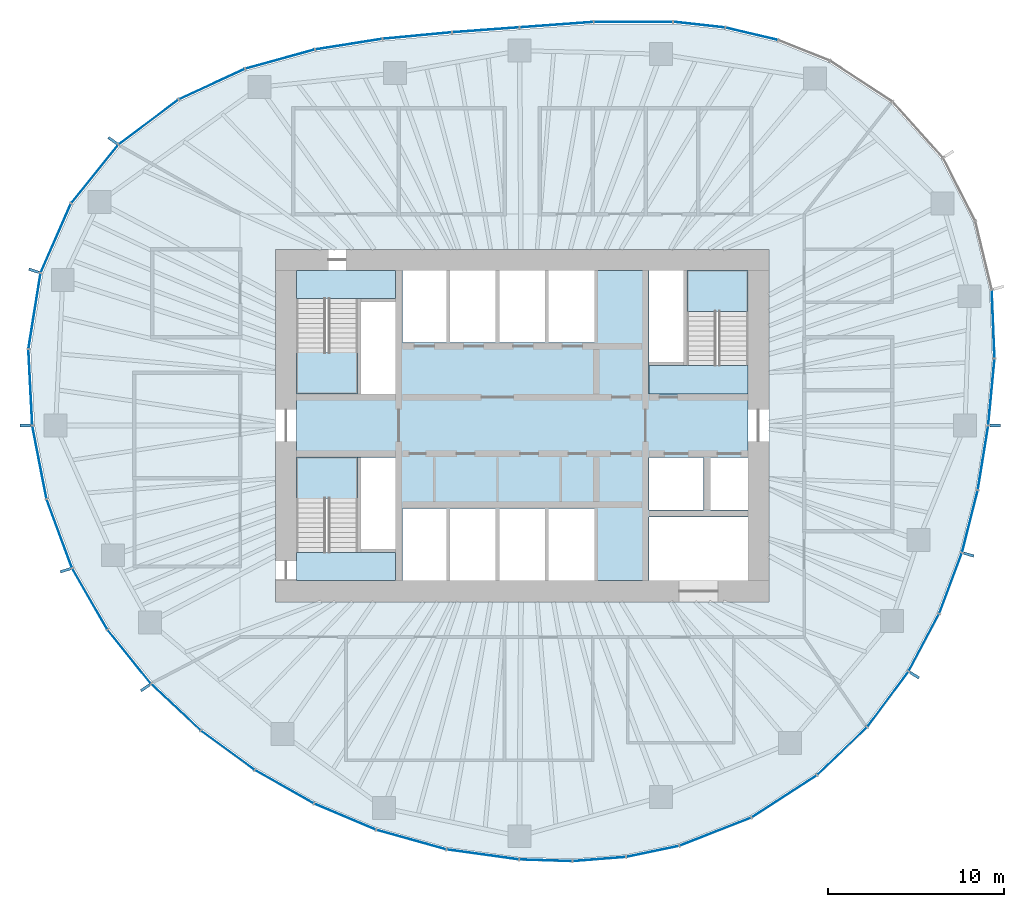
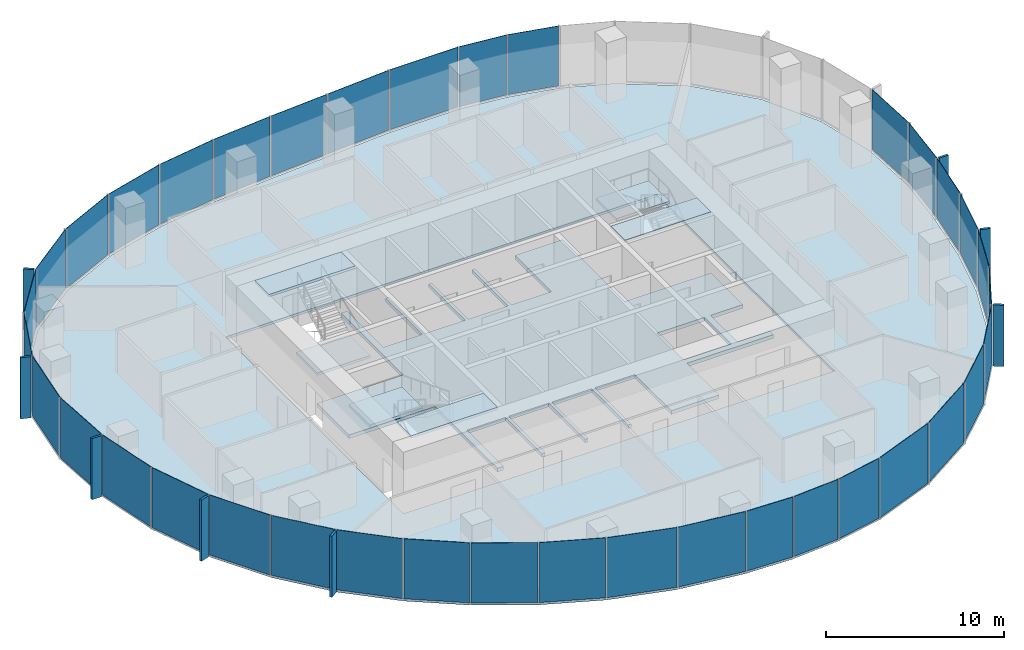
# One storey, part 7 of 11: 45 plates, 8 slabs, 21 elements without a shape of their own.
"""IFC4 building model written with IfcOpenShell, lengths in metres."""

import ifcopenshell
import ifcopenshell.guid

model = None  # the IFC model being written
_history = None  # IfcOwnerHistory: only IFC2X3 demands one
_inside = {}  # id of a spatial element -> (the spatial element, [elements in it])
_under = {}  # id of a project, library or spatial element -> (it, [spatial elements below it])
_declared = {}  # id of a project -> (the project, [libraries it declares])
_typed = {}  # id of a type object -> (the type object, [elements of that type])
_made_of = {}  # id of a material, layer set ... -> (it, [elements and type objects made of it])


def new_model(schema):
    """Start an empty IFC model of exactly this schema.

    Asked for "IFC4X3", IfcOpenShell would pick the latest addendum, in which some entities
    have other attributes; the version numbers below select the first issue.
    IFC2X3 requires an IfcOwnerHistory on every rooted entity: one is made here for all.
    """
    global model, _history
    if schema == "IFC4X3":
        model = ifcopenshell.file(schema_version=(4, 3, 0, 0))
    else:
        model = ifcopenshell.file(schema=schema)
    _inside.clear()
    _under.clear()
    _declared.clear()
    _typed.clear()
    _made_of.clear()
    _history = None
    if model.schema == "IFC2X3":
        org = make("IfcOrganization", Name="unknown")
        user = make(
            "IfcPersonAndOrganization",
            ThePerson=make("IfcPerson", FamilyName="unknown"),
            TheOrganization=org,
        )
        app = make(
            "IfcApplication",
            ApplicationDeveloper=org,
            Version="unknown",
            ApplicationFullName="unknown",
            ApplicationIdentifier="unknown",
        )
        _history = make(
            "IfcOwnerHistory",
            OwningUser=user,
            OwningApplication=app,
            ChangeAction="ADDED",
            CreationDate=0,
        )
    return model


def make(cls, **values):
    """One entity of the class cls with the attributes given. An attribute that is None is left unset."""
    return model.create_entity(
        cls, **{name: value for name, value in values.items() if value is not None}
    )


def rooted(cls, **values):
    """An entity with a GlobalId (a new one), such as an element, a storey or a relation."""
    return make(cls, GlobalId=ifcopenshell.guid.new(), OwnerHistory=_history, **values)


def si_unit(unit_type, name, prefix=None):
    """IfcSIUnit, for example si_unit("LENGTHUNIT", "METRE", prefix="MILLI")."""
    return make("IfcSIUnit", UnitType=unit_type, Prefix=prefix, Name=name)


def assignment(units):
    """IfcUnitAssignment: the units of a project."""
    return None if units is None else make("IfcUnitAssignment", Units=units)


def point(xyz):
    """IfcCartesianPoint."""
    return None if xyz is None else make("IfcCartesianPoint", Coordinates=xyz)


def direction(xyz):
    """IfcDirection."""
    return None if xyz is None else make("IfcDirection", DirectionRatios=xyz)


def frame(location, z_axis=None, x_axis=None):
    """IfcAxis2Placement3D, a coordinate frame: its origin and axes. An axis left out is left unset."""
    return make(
        "IfcAxis2Placement3D",
        Location=point(location),
        Axis=direction(z_axis),
        RefDirection=direction(x_axis),
    )


def frame_2d(location, x_axis=None):
    """IfcAxis2Placement2D, a coordinate frame in the plane: its origin and x axis."""
    return make(
        "IfcAxis2Placement2D", Location=point(location), RefDirection=direction(x_axis)
    )


def origin():
    """The frame at (0, 0, 0) with its axes left unset."""
    return frame((0.0, 0.0, 0.0))


def origin_2d():
    """The frame at (0, 0) in the plane with its x axis left unset."""
    return frame_2d((0.0, 0.0))


def place(relative_to, where):
    """IfcLocalPlacement: puts the frame where relative to a parent placement (None: the world)."""
    return make(
        "IfcLocalPlacement", PlacementRelTo=relative_to, RelativePlacement=where
    )


def context(
    kind, dimensions, precision=None, world=None, true_north=None, identifier=None
):
    """IfcGeometricRepresentationContext, for example the 3D "Model" context."""
    return make(
        "IfcGeometricRepresentationContext",
        ContextIdentifier=identifier,
        ContextType=kind,
        CoordinateSpaceDimension=dimensions,
        Precision=precision,
        WorldCoordinateSystem=world,
        TrueNorth=true_north,
    )


def subcontext(parent, identifier, kind, view, scale=None):
    """IfcGeometricRepresentationSubContext, for example "Body" below "Model"."""
    return make(
        "IfcGeometricRepresentationSubContext",
        ContextIdentifier=identifier,
        ContextType=kind,
        ParentContext=parent,
        TargetScale=scale,
        TargetView=view,
    )


def project(units=None, contexts=None):
    """IfcProject with its units and contexts."""
    return rooted(
        "IfcProject",
        Name="project",
        RepresentationContexts=contexts,
        UnitsInContext=assignment(units),
    )


def spatial(cls, under=None, at=None, **own):
    """A site, building, storey or space (cls), placed at a placement, below another one or the project."""
    s = rooted(cls, ObjectPlacement=at, **own)
    if under is not None:
        _under.setdefault(under.id(), (under, []))[1].append(s)
    return s


def polyline(points):
    """IfcPolyline through the points."""
    return make("IfcPolyline", Points=[point(p) for p in points])


def profile(cls, at=None, kind="AREA", **sizes):
    """A parametric profile (cls). Its sizes go by their IFC names, for example OverallWidth=200.0."""
    return make(cls, ProfileType=kind, Position=at, **sizes)


def rectangle(**sizes):
    """IfcRectangleProfileDef."""
    return profile("IfcRectangleProfileDef", **sizes)


def outline(outer, holes=None, kind="AREA"):
    """IfcArbitraryClosedProfileDef: a profile drawn as a closed curve; with holes, ...WithVoids."""
    if holes is None:
        return make("IfcArbitraryClosedProfileDef", ProfileType=kind, OuterCurve=outer)
    return make(
        "IfcArbitraryProfileDefWithVoids",
        ProfileType=kind,
        OuterCurve=outer,
        InnerCurves=holes,
    )


def extrude(swept, where, along, depth):
    """IfcExtrudedAreaSolid: the profile swept, set in the frame where, extruded along a direction by depth."""
    return make(
        "IfcExtrudedAreaSolid",
        SweptArea=swept,
        Position=where,
        ExtrudedDirection=direction(along),
        Depth=depth,
    )


def shape(context_of_items, identifier, shape_type, items):
    """IfcShapeRepresentation: the items that make up one representation, for example the "Body"."""
    return make(
        "IfcShapeRepresentation",
        ContextOfItems=context_of_items,
        RepresentationIdentifier=identifier,
        RepresentationType=shape_type,
        Items=items,
    )


def material(Name=None, Category=None):
    """IfcMaterial."""
    return make("IfcMaterial", Name=Name, Category=Category)


def layer(
    of_material, thickness, ventilated=None, Name=None, Category=None, Priority=None
):
    """IfcMaterialLayer: one layer of a wall or slab, of a material (None: an air gap)."""
    return make(
        "IfcMaterialLayer",
        Material=of_material,
        LayerThickness=thickness,
        IsVentilated=ventilated,
        Name=Name,
        Category=Category,
        Priority=Priority,
    )


def layer_set(layers, Name=None):
    """IfcMaterialLayerSet."""
    return make("IfcMaterialLayerSet", MaterialLayers=layers, LayerSetName=Name)


def made_of(thing, what):
    """Note that an element or type object is made of a material, layer set ...; save() writes the relation."""
    if what is not None:
        _made_of.setdefault(what.id(), (what, []))[1].append(thing)
    return thing


def type_object(cls, material=None, **own):
    """A type object (cls), such as IfcWallType, which elements share."""
    return made_of(rooted(cls, **own), material)


def element(
    cls,
    number,
    at=None,
    inside=None,
    cuts=None,
    type_object=None,
    material=None,
    context=None,
    identifier="Body",
    shape_type=None,
    held_by="IfcProductDefinitionShape",
    body=None,
    shapes=None,
    **own,
):
    """One element of the class cls, such as IfcWall. Its Tag is "e" and its number.

    at: its placement. inside: the storey or other place that contains it. cuts: it is an
    opening in that element (IfcRelVoidsElement). A single representation is given by context,
    identifier, shape_type and body (its items); several are given by shapes. held_by: the class
    of the entity that holds the representations. save() writes the other relations.
    """
    e = rooted(cls, Tag="e%d" % number, ObjectPlacement=at, **own)
    if body is not None:
        shapes = [shape(context, identifier, shape_type, body)]
    if shapes is not None:
        e.Representation = make(held_by, Representations=shapes)
    if inside is not None:
        _inside.setdefault(inside.id(), (inside, []))[1].append(e)
    if cuts is not None:
        rooted(
            "IfcRelVoidsElement", RelatingBuildingElement=cuts, RelatedOpeningElement=e
        )
    if type_object is not None:
        _typed.setdefault(type_object.id(), (type_object, []))[1].append(e)
    return made_of(e, material)


def aggregate(whole, parts):
    """IfcRelAggregates: a whole, such as a stair, and the parts it consists of."""
    return rooted("IfcRelAggregates", RelatingObject=whole, RelatedObjects=parts)


def save(model, path):
    """Write the relations noted so far, then the file.

    IfcRelAggregates (storeys below a building ...), IfcRelContainedInSpatialStructure (elements
    in a storey), IfcRelDefinesByType, IfcRelAssociatesMaterial and IfcRelDeclares: one each for
    every whole, place, type object, material and project.
    """
    for whole, parts in _under.values():
        aggregate(whole, parts)
    for where, things in _inside.values():
        rooted(
            "IfcRelContainedInSpatialStructure",
            RelatedElements=things,
            RelatingStructure=where,
        )
    for kind, things in _typed.values():
        rooted("IfcRelDefinesByType", RelatedObjects=things, RelatingType=kind)
    for what, things in _made_of.values():
        rooted("IfcRelAssociatesMaterial", RelatedObjects=things, RelatingMaterial=what)
    for by, libraries in _declared.values():
        rooted("IfcRelDeclares", RelatingContext=by, RelatedDefinitions=libraries)
    model.write(path)


model = new_model("IFC4")

# Units and contexts
model_context = context("Model", 3, precision=1e-05, world=origin(), true_north=direction((0.0, 1.0)))
body_context = subcontext(model_context, "Body", "Model", "MODEL_VIEW")
ifc_project = project(units=[si_unit("LENGTHUNIT", "METRE"), si_unit("AREAUNIT", "SQUARE_METRE"), si_unit("VOLUMEUNIT", "CUBIC_METRE"), si_unit("PLANEANGLEUNIT", "RADIAN"), si_unit("MASSUNIT", "GRAM", prefix="KILO")], contexts=[model_context])

# Site, building, storey
site_placement = place(None, origin())
site = spatial("IfcSite", under=ifc_project, at=site_placement, CompositionType="ELEMENT")
building_placement = place(site_placement, origin())
building = spatial("IfcBuilding", under=site, at=building_placement, Name="Ghaith Harvest Tower", CompositionType="ELEMENT")
storey_placement = place(building_placement, frame((0.0, 0.0, 211.60009765625)))
storey = spatial("IfcBuildingStorey", under=building, at=storey_placement, Name="L46", CompositionType="ELEMENT", Elevation=211.60009765625)

# Curtain wall, plates
ifc_material_1 = material(Name="Black anodised aluminium and fritted glass", Category="aluminium")
curtain_wall_type = type_object("IfcCurtainWallType", Name="CW-H CURTAIN WALL", PredefinedType="NOTDEFINED", material=ifc_material_1)
curtain_wall_1_placement = place(storey_placement, origin())
curtain_wall_1 = element("IfcCurtainWall", 1, at=curtain_wall_1_placement, inside=storey, type_object=curtain_wall_type, Name="Curtain wall CW-H bay 01 L46", PredefinedType="NOTDEFINED")
ifc_material_2 = material(Name="Glass, dark solar-control fritted double glazed unit", Category="glass")
ifc_layer_1 = layer(ifc_material_2, 0.030029296875)
ifc_layer_set_1 = layer_set([ifc_layer_1], Name="CW-H VISION PANEL")
plate_type_1 = type_object("IfcPlateType", Name="CW-H VISION PANEL", PredefinedType="CURTAIN_PANEL", material=ifc_layer_set_1)
plate_1_placement = place(storey_placement, frame((26.624755859375, 1.89794921875, 0.079833984375), z_axis=(0.0, 0.0, 1.0), x_axis=(0.094301909937, 0.995543645343, 0.0)))
plate_1 = element("IfcPlate", 2, at=plate_1_placement, type_object=plate_type_1, Name="CW-H glass unit 1 bay 01 L46", PredefinedType="CURTAIN_PANEL", context=body_context, shape_type="SweptSolid", body=[
    extrude(rectangle(XDim=3.73291015625, YDim=0.030029296875, at=origin_2d()), origin(), (0.0, 0.0, 1.0), 4.1201171875),
])
plate_2_placement = place(storey_placement, frame((26.7255859375, 5.74853515625, 0.079833984375), z_axis=(0.0, 0.0, 1.0), x_axis=(-0.040462173218, 0.999181070947, 0.0)))
plate_2 = element("IfcPlate", 3, at=plate_2_placement, type_object=plate_type_1, Name="CW-H glass unit 2 bay 01 L46", PredefinedType="CURTAIN_PANEL", context=body_context, shape_type="SweptSolid", body=[
    extrude(rectangle(XDim=3.82861328125, YDim=0.030029296875, at=origin_2d()), origin(), (0.0, 0.0, 1.0), 4.1201171875),
])
aggregate(curtain_wall_1, [plate_1, plate_2])

curtain_wall_2_placement = place(storey_placement, origin())
curtain_wall_2 = element("IfcCurtainWall", 4, at=curtain_wall_2_placement, inside=storey, type_object=curtain_wall_type, Name="Curtain wall CW-H bay 04 L46", PredefinedType="NOTDEFINED")
plate_3_placement = place(storey_placement, frame((13.027099609375, 22.225341796875, 0.079833984375), z_axis=(0.0, 0.0, 1.0), x_axis=(-0.973266235028, 0.229679854916, 0.0)))
plate_3 = element("IfcPlate", 5, at=plate_3_placement, type_object=plate_type_1, Name="CW-H glass unit 2 bay 04 L46", PredefinedType="CURTAIN_PANEL", context=body_context, shape_type="SweptSolid", body=[
    extrude(rectangle(XDim=3.00244140625, YDim=0.030029296875, at=origin_2d()), origin(), (0.0, 0.0, 1.0), 4.1201171875),
])
plate_4_placement = place(storey_placement, frame((10.045654296875, 22.744384765625, 0.079833984375), z_axis=(0.0, 0.0, 1.0), x_axis=(-0.993865217442, 0.11059805405, 0.0)))
plate_4 = element("IfcPlate", 6, at=plate_4_placement, type_object=plate_type_1, Name="CW-H glass unit 3 bay 04 L46", PredefinedType="CURTAIN_PANEL", context=body_context, shape_type="SweptSolid", body=[
    extrude(rectangle(XDim=2.901123046875, YDim=0.030029296875, at=origin_2d()), origin(), (0.0, 0.0, 1.0), 4.1201171875),
])
aggregate(curtain_wall_2, [plate_3, plate_4])

curtain_wall_3_placement = place(storey_placement, origin())
curtain_wall_3 = element("IfcCurtainWall", 7, at=curtain_wall_3_placement, inside=storey, type_object=curtain_wall_type, Name="Curtain wall CW-H bay 05 L46", PredefinedType="NOTDEFINED")
plate_5_placement = place(storey_placement, frame((6.31201171875, 22.904296875, 0.079833984375), z_axis=(0.0, 0.0, 1.0), x_axis=(-0.999997643645, -0.002170876291, 0.0)))
plate_5 = element("IfcPlate", 8, at=plate_5_placement, type_object=plate_type_1, Name="CW-H glass unit 1 bay 05 L46", PredefinedType="CURTAIN_PANEL", context=body_context, shape_type="SweptSolid", body=[
    extrude(rectangle(XDim=4.4248046875, YDim=0.030029296875, at=origin_2d()), origin(), (0.0, 0.0, 1.0), 4.1201171875),
])
plate_6_placement = place(storey_placement, frame((1.952392578125, 22.744873046875, 0.079833984375), z_axis=(0.0, 0.0, 1.0), x_axis=(-0.997324570719, -0.073100619976, 0.0)))
plate_6 = element("IfcPlate", 9, at=plate_6_placement, type_object=plate_type_1, Name="CW-H glass unit 2 bay 05 L46", PredefinedType="CURTAIN_PANEL", context=body_context, shape_type="SweptSolid", body=[
    extrude(rectangle(XDim=4.1455078125, YDim=0.030029296875, at=origin_2d()), origin(), (0.0, 0.0, 1.0), 4.1201171875),
])
aggregate(curtain_wall_3, [plate_5, plate_6])

curtain_wall_4_placement = place(storey_placement, origin())
curtain_wall_4 = element("IfcCurtainWall", 10, at=curtain_wall_4_placement, inside=storey, type_object=curtain_wall_type, Name="Curtain wall CW-H bay 06 L46", PredefinedType="NOTDEFINED")
plate_7_placement = place(storey_placement, frame((-2.0693359375, 22.450439453125, 0.079833984375), z_axis=(0.0, 0.0, 1.0), x_axis=(-0.997334393671, -0.072966479985, 0.0)))
plate_7 = element("IfcPlate", 11, at=plate_7_placement, type_object=plate_type_1, Name="CW-H glass unit 1 bay 06 L46", PredefinedType="CURTAIN_PANEL", context=body_context, shape_type="SweptSolid", body=[
    extrude(rectangle(XDim=3.759765625, YDim=0.030029296875, at=origin_2d()), origin(), (0.0, 0.0, 1.0), 4.1201171875),
])
plate_8_placement = place(storey_placement, frame((-5.954345703125, 22.12548828125, 0.079833984375), z_axis=(0.0, 0.0, 1.0), x_axis=(-0.995631991968, -0.093364535934, 0.0)))
plate_8 = element("IfcPlate", 12, at=plate_8_placement, type_object=plate_type_1, Name="CW-H glass unit 2 bay 06 L46", PredefinedType="CURTAIN_PANEL", context=body_context, shape_type="SweptSolid", body=[
    extrude(rectangle(XDim=3.87744140625, YDim=0.030029296875, at=origin_2d()), origin(), (0.0, 0.0, 1.0), 4.1201171875),
])
aggregate(curtain_wall_4, [plate_7, plate_8])

curtain_wall_5_placement = place(storey_placement, origin())
curtain_wall_5 = element("IfcCurtainWall", 13, at=curtain_wall_5_placement, inside=storey, type_object=curtain_wall_type, Name="Curtain wall CW-H bay 07 L46", PredefinedType="NOTDEFINED")
plate_9_placement = place(storey_placement, frame((-9.83837890625, 21.638671875, 0.079833984375), z_axis=(0.0, 0.0, 1.0), x_axis=(-0.98777033338, -0.155915901993, 0.0)))
plate_9 = element("IfcPlate", 14, at=plate_9_placement, type_object=plate_type_1, Name="CW-H glass unit 1 bay 07 L46", PredefinedType="CURTAIN_PANEL", context=body_context, shape_type="SweptSolid", body=[
    extrude(rectangle(XDim=3.795166015625, YDim=0.030029296875, at=origin_2d()), origin(), (0.0, 0.0, 1.0), 4.1201171875),
])
plate_10_placement = place(storey_placement, frame((-13.736572265625, 20.78955078125, 0.079833984375), z_axis=(0.0, 0.0, 1.0), x_axis=(-0.964034113875, -0.26577853052, 0.0)))
plate_10 = element("IfcPlate", 15, at=plate_10_placement, type_object=plate_type_1, Name="CW-H glass unit 2 bay 07 L46", PredefinedType="CURTAIN_PANEL", context=body_context, shape_type="SweptSolid", body=[
    extrude(rectangle(XDim=4.03662109375, YDim=0.030029296875, at=origin_2d()), origin(), (0.0, 0.0, 1.0), 4.1201171875),
])
aggregate(curtain_wall_5, [plate_9, plate_10])

curtain_wall_6_placement = place(storey_placement, origin())
curtain_wall_6 = element("IfcCurtainWall", 16, at=curtain_wall_6_placement, inside=storey, type_object=curtain_wall_type, Name="Curtain wall CW-H bay 08 L46", PredefinedType="NOTDEFINED")
plate_11_placement = place(storey_placement, frame((-17.608154296875, 19.370849609375, 0.079833984375), z_axis=(0.0, 0.0, 1.0), x_axis=(-0.907814470414, -0.419372015408, 0.0)))
plate_11 = element("IfcPlate", 17, at=plate_11_placement, type_object=plate_type_1, Name="CW-H glass unit 1 bay 08 L46", PredefinedType="CURTAIN_PANEL", context=body_context, shape_type="SweptSolid", body=[
    extrude(rectangle(XDim=4.077392578125, YDim=0.030029296875, at=origin_2d()), origin(), (0.0, 0.0, 1.0), 4.1201171875),
])
plate_12_placement = place(storey_placement, frame((-21.20166015625, 17.219482421875, 0.079833984375), z_axis=(0.0, 0.0, 1.0), x_axis=(-0.800067053187, -0.599910585341, 0.0)))
plate_12 = element("IfcPlate", 18, at=plate_12_placement, type_object=plate_type_1, Name="CW-H glass unit 2 bay 08 L46", PredefinedType="CURTAIN_PANEL", context=body_context, shape_type="SweptSolid", body=[
    extrude(rectangle(XDim=4.18603515625, YDim=0.030029296875, at=origin_2d()), origin(), (0.0, 0.0, 1.0), 4.1201171875),
])
aggregate(curtain_wall_6, [plate_11, plate_12])

curtain_wall_7_placement = place(storey_placement, origin())
curtain_wall_7 = element("IfcCurtainWall", 19, at=curtain_wall_7_placement, inside=storey, type_object=curtain_wall_type, Name="Curtain wall CW-H bay 09 L46", PredefinedType="NOTDEFINED")
plate_13_placement = place(storey_placement, frame((-24.25390625, 14.270263671875, 0.079833984375), z_axis=(0.0, 0.0, 1.0), x_axis=(-0.627547637499, -0.778578167347, 0.0)))
plate_13 = element("IfcPlate", 20, at=plate_13_placement, type_object=plate_type_1, Name="CW-H glass unit 1 bay 09 L46", PredefinedType="CURTAIN_PANEL", context=body_context, shape_type="SweptSolid", body=[
    extrude(rectangle(XDim=4.208740234375, YDim=0.030029296875, at=origin_2d()), origin(), (0.0, 0.0, 1.0), 4.1201171875),
])
plate_14_placement = place(storey_placement, frame((-26.462646484375, 10.63037109375, 0.079833984375), z_axis=(0.0, 0.0, 1.0), x_axis=(-0.40121291108, -0.915984825192, 0.0)))
plate_14 = element("IfcPlate", 21, at=plate_14_placement, type_object=plate_type_1, Name="CW-H glass unit 2 bay 09 L46", PredefinedType="CURTAIN_PANEL", context=body_context, shape_type="SweptSolid", body=[
    extrude(rectangle(XDim=4.22216796875, YDim=0.030029296875, at=origin_2d()), origin(), (0.0, 0.0, 1.0), 4.1201171875),
])
aggregate(curtain_wall_7, [plate_13, plate_14])

curtain_wall_8_placement = place(storey_placement, origin())
curtain_wall_8 = element("IfcCurtainWall", 22, at=curtain_wall_8_placement, inside=storey, type_object=curtain_wall_type, Name="Curtain wall CW-H bay 10 L46", PredefinedType="NOTDEFINED")
plate_15_placement = place(storey_placement, frame((-27.670654296875, 6.49658203125, 0.079833984375), z_axis=(0.0, 0.0, 1.0), x_axis=(-0.157514341695, -0.987516699687, 0.0)))
plate_15 = element("IfcPlate", 23, at=plate_15_placement, type_object=plate_type_1, Name="CW-H glass unit 1 bay 10 L46", PredefinedType="CURTAIN_PANEL", context=body_context, shape_type="SweptSolid", body=[
    extrude(rectangle(XDim=4.301513671875, YDim=0.030029296875, at=origin_2d()), origin(), (0.0, 0.0, 1.0), 4.1201171875),
])
plate_16_placement = place(storey_placement, frame((-27.905517578125, 2.16650390625, 0.079833984375), z_axis=(0.0, 0.0, 1.0), x_axis=(0.050894857592, -0.998704016949, 0.0)))
plate_16 = element("IfcPlate", 24, at=plate_16_placement, type_object=plate_type_1, Name="CW-H glass unit 2 bay 10 L46", PredefinedType="CURTAIN_PANEL", context=body_context, shape_type="SweptSolid", body=[
    extrude(rectangle(XDim=4.2587890625, YDim=0.030029296875, at=origin_2d()), origin(), (0.0, 0.0, 1.0), 4.1201171875),
])
aggregate(curtain_wall_8, [plate_15, plate_16])

curtain_wall_9_placement = place(storey_placement, origin())
curtain_wall_9 = element("IfcCurtainWall", 25, at=curtain_wall_9_placement, inside=storey, type_object=curtain_wall_type, Name="Curtain wall CW-H bay 11 L46", PredefinedType="NOTDEFINED")
plate_17_placement = place(storey_placement, frame((-27.39013671875, -2.0869140625, 0.079833984375), z_axis=(0.0, 0.0, 1.0), x_axis=(0.190426809322, -0.981701395686, 0.0)))
plate_17 = element("IfcPlate", 26, at=plate_17_placement, type_object=plate_type_1, Name="CW-H glass unit 1 bay 11 L46", PredefinedType="CURTAIN_PANEL", context=body_context, shape_type="SweptSolid", body=[
    extrude(rectangle(XDim=4.171630859375, YDim=0.030029296875, at=origin_2d()), origin(), (0.0, 0.0, 1.0), 4.1201171875),
])
plate_18_placement = place(storey_placement, frame((-26.261962890625, -6.1337890625, 0.079833984375), z_axis=(0.0, 0.0, 1.0), x_axis=(0.346303431688, -0.938122557666, 0.0)))
plate_18 = element("IfcPlate", 27, at=plate_18_placement, type_object=plate_type_1, Name="CW-H glass unit 2 bay 11 L46", PredefinedType="CURTAIN_PANEL", context=body_context, shape_type="SweptSolid", body=[
    extrude(rectangle(XDim=4.098388671875, YDim=0.030029296875, at=origin_2d()), origin(), (0.0, 0.0, 1.0), 4.1201171875),
])
aggregate(curtain_wall_9, [plate_17, plate_18])

curtain_wall_10_placement = place(storey_placement, origin())
curtain_wall_10 = element("IfcCurtainWall", 28, at=curtain_wall_10_placement, inside=storey, type_object=curtain_wall_type, Name="Curtain wall CW-H bay 12 L46", PredefinedType="NOTDEFINED")
plate_19_placement = place(storey_placement, frame((-24.535888671875, -9.838623046875, 0.079833984375), z_axis=(0.0, 0.0, 1.0), x_axis=(0.49818018945, -0.867073525625, 0.0)))
plate_19 = element("IfcPlate", 29, at=plate_19_placement, type_object=plate_type_1, Name="CW-H glass unit 1 bay 12 L46", PredefinedType="CURTAIN_PANEL", context=body_context, shape_type="SweptSolid", body=[
    extrude(rectangle(XDim=3.945068359375, YDim=0.030029296875, at=origin_2d()), origin(), (0.0, 0.0, 1.0), 4.1201171875),
])
plate_20_placement = place(storey_placement, frame((-22.29736328125, -13.119140625, 0.079833984375), z_axis=(0.0, 0.0, 1.0), x_axis=(0.626957061695, -0.779053812513, 0.0)))
plate_20 = element("IfcPlate", 30, at=plate_20_placement, type_object=plate_type_1, Name="CW-H glass unit 2 bay 12 L46", PredefinedType="CURTAIN_PANEL", context=body_context, shape_type="SweptSolid", body=[
    extrude(rectangle(XDim=3.8623046875, YDim=0.030029296875, at=origin_2d()), origin(), (0.0, 0.0, 1.0), 4.1201171875),
])
aggregate(curtain_wall_10, [plate_19, plate_20])

curtain_wall_11_placement = place(storey_placement, origin())
curtain_wall_11 = element("IfcCurtainWall", 31, at=curtain_wall_11_placement, inside=storey, type_object=curtain_wall_type, Name="Curtain wall CW-H bay 13 L46", PredefinedType="NOTDEFINED")
plate_21_placement = place(storey_placement, frame((-19.649658203125, -15.98046875, 0.079833984375), z_axis=(0.0, 0.0, 1.0), x_axis=(0.729016864325, -0.684495735217, 0.0)))
plate_21 = element("IfcPlate", 32, at=plate_21_placement, type_object=plate_type_1, Name="CW-H glass unit 1 bay 13 L46", PredefinedType="CURTAIN_PANEL", context=body_context, shape_type="SweptSolid", body=[
    extrude(rectangle(XDim=3.793212890625, YDim=0.030029296875, at=origin_2d()), origin(), (0.0, 0.0, 1.0), 4.1201171875),
])
plate_22_placement = place(storey_placement, frame((-16.707763671875, -18.42431640625, 0.079833984375), z_axis=(0.0, 0.0, 1.0), x_axis=(0.80736351134, -0.590054370848, 0.0)))
plate_22 = element("IfcPlate", 33, at=plate_22_placement, type_object=plate_type_1, Name="CW-H glass unit 2 bay 13 L46", PredefinedType="CURTAIN_PANEL", context=body_context, shape_type="SweptSolid", body=[
    extrude(rectangle(XDim=3.710693359375, YDim=0.030029296875, at=origin_2d()), origin(), (0.0, 0.0, 1.0), 4.1201171875),
])
aggregate(curtain_wall_11, [plate_21, plate_22])

curtain_wall_12_placement = place(storey_placement, origin())
curtain_wall_12 = element("IfcCurtainWall", 34, at=curtain_wall_12_placement, inside=storey, type_object=curtain_wall_type, Name="Curtain wall CW-H bay 14 L46", PredefinedType="NOTDEFINED")
plate_23_placement = place(storey_placement, frame((-13.496337890625, -20.496826171875, 0.079833984375), z_axis=(0.0, 0.0, 1.0), x_axis=(0.869715300233, -0.493553742303, 0.0)))
plate_23 = element("IfcPlate", 35, at=plate_23_placement, type_object=plate_type_1, Name="CW-H glass unit 1 bay 14 L46", PredefinedType="CURTAIN_PANEL", context=body_context, shape_type="SweptSolid", body=[
    extrude(rectangle(XDim=3.785888671875, YDim=0.030029296875, at=origin_2d()), origin(), (0.0, 0.0, 1.0), 4.1201171875),
])
plate_24_placement = place(storey_placement, frame((-10.050537109375, -22.1962890625, 0.079833984375), z_axis=(0.0, 0.0, 1.0), x_axis=(0.921181516072, -0.389133157734, 0.0)))
plate_24 = element("IfcPlate", 36, at=plate_24_placement, type_object=plate_type_1, Name="CW-H glass unit 2 bay 14 L46", PredefinedType="CURTAIN_PANEL", context=body_context, shape_type="SweptSolid", body=[
    extrude(rectangle(XDim=3.751220703125, YDim=0.030029296875, at=origin_2d()), origin(), (0.0, 0.0, 1.0), 4.1201171875),
])
aggregate(curtain_wall_12, [plate_23, plate_24])

curtain_wall_13_placement = place(storey_placement, origin())
curtain_wall_13 = element("IfcCurtainWall", 37, at=curtain_wall_13_placement, inside=storey, type_object=curtain_wall_type, Name="Curtain wall CW-H bay 15 L46", PredefinedType="NOTDEFINED")
plate_25_placement = place(storey_placement, frame((-6.291015625, -23.49853515625, 0.079833984375), z_axis=(0.0, 0.0, 1.0), x_axis=(0.963162861349, -0.268918765647, 0.0)))
plate_25 = element("IfcPlate", 38, at=plate_25_placement, type_object=plate_type_1, Name="CW-H glass unit 1 bay 15 L46", PredefinedType="CURTAIN_PANEL", context=body_context, shape_type="SweptSolid", body=[
    extrude(rectangle(XDim=4.062744140625, YDim=0.030029296875, at=origin_2d()), origin(), (0.0, 0.0, 1.0), 4.1201171875),
])
plate_26_placement = place(storey_placement, frame((-2.232177734375, -24.34033203125, 0.079833984375), z_axis=(0.0, 0.0, 1.0), x_axis=(0.990612268407, -0.136701622823, 0.0)))
plate_26 = element("IfcPlate", 39, at=plate_26_placement, type_object=plate_type_1, Name="CW-H glass unit 2 bay 15 L46", PredefinedType="CURTAIN_PANEL", context=body_context, shape_type="SweptSolid", body=[
    extrude(rectangle(XDim=4.08642578125, YDim=0.030029296875, at=origin_2d()), origin(), (0.0, 0.0, 1.0), 4.1201171875),
])
aggregate(curtain_wall_13, [plate_25, plate_26])

curtain_wall_14_placement = place(storey_placement, origin())
curtain_wall_14 = element("IfcCurtainWall", 40, at=curtain_wall_14_placement, inside=storey, type_object=curtain_wall_type, Name="Curtain wall CW-H bay 16 L46", PredefinedType="NOTDEFINED")
plate_27_placement = place(storey_placement, frame((1.339599609375, -24.67333984375, 0.079833984375), z_axis=(0.0, 0.0, 1.0), x_axis=(0.99949125523, -0.031894054587, 0.0)))
plate_27 = element("IfcPlate", 41, at=plate_27_placement, type_object=plate_type_1, Name="CW-H glass unit 1 bay 16 L46", PredefinedType="CURTAIN_PANEL", context=body_context, shape_type="SweptSolid", body=[
    extrude(rectangle(XDim=2.937744140625, YDim=0.030029296875, at=origin_2d()), origin(), (0.0, 0.0, 1.0), 4.1201171875),
])
plate_28_placement = place(storey_placement, frame((4.37060546875, -24.60205078125, 0.079833984375), z_axis=(0.0, 0.0, 1.0), x_axis=(0.996945418782, 0.078101421048, 0.0)))
plate_28 = element("IfcPlate", 42, at=plate_28_placement, type_object=plate_type_1, Name="CW-H glass unit 2 bay 16 L46", PredefinedType="CURTAIN_PANEL", context=body_context, shape_type="SweptSolid", body=[
    extrude(rectangle(XDim=2.974853515625, YDim=0.030029296875, at=origin_2d()), origin(), (0.0, 0.0, 1.0), 4.1201171875),
])
plate_29_placement = place(storey_placement, frame((7.40478515625, -24.16650390625, 0.079833984375), z_axis=(0.0, 0.0, 1.0), x_axis=(0.978788872874, 0.204871526422, 0.0)))
plate_29 = element("IfcPlate", 43, at=plate_29_placement, type_object=plate_type_1, Name="CW-H glass unit 3 bay 16 L46", PredefinedType="CURTAIN_PANEL", context=body_context, shape_type="SweptSolid", body=[
    extrude(rectangle(XDim=3.00830078125, YDim=0.030029296875, at=origin_2d()), origin(), (0.0, 0.0, 1.0), 4.1201171875),
])
aggregate(curtain_wall_14, [plate_27, plate_28, plate_29])

curtain_wall_15_placement = place(storey_placement, origin())
curtain_wall_15 = element("IfcCurtainWall", 44, at=curtain_wall_15_placement, inside=storey, type_object=curtain_wall_type, Name="Curtain wall CW-H bay 17 L46", PredefinedType="NOTDEFINED")
plate_30_placement = place(storey_placement, frame((10.963134765625, -23.048583984375, 0.079833984375), z_axis=(0.0, 0.0, 1.0), x_axis=(0.931161161765, 0.364607858966, 0.0)))
plate_30 = element("IfcPlate", 45, at=plate_30_placement, type_object=plate_type_1, Name="CW-H glass unit 1 bay 17 L46", PredefinedType="CURTAIN_PANEL", context=body_context, shape_type="SweptSolid", body=[
    extrude(rectangle(XDim=4.316650390625, YDim=0.030029296875, at=origin_2d()), origin(), (0.0, 0.0, 1.0), 4.1201171875),
])
plate_31_placement = place(storey_placement, frame((14.869384765625, -21.042724609375, 0.079833984375), z_axis=(0.0, 0.0, 1.0), x_axis=(0.839305300126, 0.543660384045, 0.0)))
plate_31 = element("IfcPlate", 46, at=plate_31_placement, type_object=plate_type_1, Name="CW-H glass unit 2 bay 17 L46", PredefinedType="CURTAIN_PANEL", context=body_context, shape_type="SweptSolid", body=[
    extrude(rectangle(XDim=4.35107421875, YDim=0.030029296875, at=origin_2d()), origin(), (0.0, 0.0, 1.0), 4.1201171875),
])
aggregate(curtain_wall_15, [plate_30, plate_31])

curtain_wall_16_placement = place(storey_placement, origin())
curtain_wall_16 = element("IfcCurtainWall", 47, at=curtain_wall_16_placement, inside=storey, type_object=curtain_wall_type, Name="Curtain wall CW-H bay 18 L46", PredefinedType="NOTDEFINED")
plate_32_placement = place(storey_placement, frame((18.151611328125, -18.47705078125, 0.079833984375), z_axis=(0.0, 0.0, 1.0), x_axis=(0.722532585058, 0.691336866896, 0.0)))
plate_32 = element("IfcPlate", 48, at=plate_32_placement, type_object=plate_type_1, Name="CW-H glass unit 1 bay 18 L46", PredefinedType="CURTAIN_PANEL", context=body_context, shape_type="SweptSolid", body=[
    extrude(rectangle(XDim=3.85791015625, YDim=0.030029296875, at=origin_2d()), origin(), (0.0, 0.0, 1.0), 4.1201171875),
])
plate_33_placement = place(storey_placement, frame((20.74853515625, -15.53369140625, 0.079833984375), z_axis=(0.0, 0.0, 1.0), x_axis=(0.596018639888, 0.802970597784, 0.0)))
plate_33 = element("IfcPlate", 49, at=plate_33_placement, type_object=plate_type_1, Name="CW-H glass unit 2 bay 18 L46", PredefinedType="CURTAIN_PANEL", context=body_context, shape_type="SweptSolid", body=[
    extrude(rectangle(XDim=3.8603515625, YDim=0.030029296875, at=origin_2d()), origin(), (0.0, 0.0, 1.0), 4.1201171875),
])
aggregate(curtain_wall_16, [plate_32, plate_33])

curtain_wall_17_placement = place(storey_placement, origin())
curtain_wall_17 = element("IfcCurtainWall", 50, at=curtain_wall_17_placement, inside=storey, type_object=curtain_wall_type, Name="Curtain wall CW-H bay 19 L46", PredefinedType="NOTDEFINED")
plate_34_placement = place(storey_placement, frame((22.79052734375, -12.316162109375, 0.079833984375), z_axis=(0.0, 0.0, 1.0), x_axis=(0.46864379564, 0.883387226989, 0.0)))
plate_34 = element("IfcPlate", 51, at=plate_34_placement, type_object=plate_type_1, Name="CW-H glass unit 1 bay 19 L46", PredefinedType="CURTAIN_PANEL", context=body_context, shape_type="SweptSolid", body=[
    extrude(rectangle(XDim=3.623291015625, YDim=0.030029296875, at=origin_2d()), origin(), (0.0, 0.0, 1.0), 4.1201171875),
])
plate_35_placement = place(storey_placement, frame((24.30712890625, -8.946533203125, 0.079833984375), z_axis=(0.0, 0.0, 1.0), x_axis=(0.350480749824, 0.936569935457, 0.0)))
plate_35 = element("IfcPlate", 52, at=plate_35_placement, type_object=plate_type_1, Name="CW-H glass unit 2 bay 19 L46", PredefinedType="CURTAIN_PANEL", context=body_context, shape_type="SweptSolid", body=[
    extrude(rectangle(XDim=3.62255859375, YDim=0.030029296875, at=origin_2d()), origin(), (0.0, 0.0, 1.0), 4.1201171875),
])
aggregate(curtain_wall_17, [plate_34, plate_35])

curtain_wall_18_placement = place(storey_placement, origin())
curtain_wall_18 = element("IfcCurtainWall", 53, at=curtain_wall_18_placement, inside=storey, type_object=curtain_wall_type, Name="Curtain wall CW-H bay 20 L46", PredefinedType="NOTDEFINED")
plate_36_placement = place(storey_placement, frame((25.404541015625, -5.43701171875, 0.079833984375), z_axis=(0.0, 0.0, 1.0), x_axis=(0.244925945134, 0.969541789404, 0.0)))
plate_36 = element("IfcPlate", 54, at=plate_36_placement, type_object=plate_type_1, Name="CW-H glass unit 1 bay 20 L46", PredefinedType="CURTAIN_PANEL", context=body_context, shape_type="SweptSolid", body=[
    extrude(rectangle(XDim=3.583251953125, YDim=0.030029296875, at=origin_2d()), origin(), (0.0, 0.0, 1.0), 4.1201171875),
])
plate_37_placement = place(storey_placement, frame((26.14892578125, -1.83056640625, 0.079833984375), z_axis=(0.0, 0.0, 1.0), x_axis=(0.159600748097, 0.987181645497, 0.0)))
plate_37 = element("IfcPlate", 55, at=plate_37_placement, type_object=plate_type_1, Name="CW-H glass unit 2 bay 20 L46", PredefinedType="CURTAIN_PANEL", context=body_context, shape_type="SweptSolid", body=[
    extrude(rectangle(XDim=3.628662109375, YDim=0.030029296875, at=origin_2d()), origin(), (0.0, 0.0, 1.0), 4.1201171875),
])
aggregate(curtain_wall_18, [plate_36, plate_37])

# Slabs
ifc_material_3 = material(Name="Concrete C40/50", Category="concrete")
ifc_layer_2 = layer(ifc_material_3, 0.169921875)
ifc_layer_set_2 = layer_set([ifc_layer_2], Name="FLOOR SLAB 170")
slab_type_1 = type_object("IfcSlabType", Name="FLOOR SLAB 170", PredefinedType="FLOOR", material=ifc_layer_set_2)
slab_1_placement = place(storey_placement, frame((0.0, 0.0, -0.170166015625)))
element("IfcSlab", 56, at=slab_1_placement, inside=storey, type_object=slab_type_1, Name="Floor slab L46", PredefinedType="FLOOR", context=body_context, shape_type="SweptSolid", body=[
    extrude(outline(polyline([(26.324951171875, 0.0), (26.685791015625, 3.779052734375), (26.531005859375, 7.668212890625), (25.597900390625, 11.55615234375), (23.77294921875, 15.12939453125), (20.923095703125, 18.295166015625), (17.382080078125, 20.612548828125), (14.460693359375, 21.771484375), (11.47265625, 22.47265625), (8.522216796875, 22.796875), (4.03857421875, 22.78125), (-0.15380859375, 22.470458984375), (-3.963134765625, 22.192138671875), (-7.8837890625, 21.827880859375), (-11.694580078125, 21.2314453125), (-15.6474609375, 20.147705078125), (-19.408203125, 18.41650390625), (-22.809814453125, 15.87109375), (-25.491943359375, 12.547607421875), (-27.211181640625, 8.623779296875), (-27.897216796875, 4.314697265625), (-27.675048828125, 0.0), (-26.86669921875, -4.155517578125), (-25.424072265625, -8.057373046875), (-23.425537109375, -11.530517578125), (-20.963134765625, -14.586181640625), (-18.15087890625, -17.223388671875), (-15.10400390625, -19.447998046875), (-11.75732421875, -21.345703125), (-8.2451171875, -22.82861328125), (-4.27490234375, -23.9375), (-0.167724609375, -24.505126953125), (2.833984375, -24.602294921875), (5.865234375, -24.3662109375), (8.8740234375, -23.73779296875), (12.949462890625, -22.1435546875), (16.651611328125, -19.746337890625), (19.48388671875, -17.036865234375), (21.821533203125, -13.887451171875), (23.548828125, -10.631103515625), (24.840576171875, -7.179443359375), (25.734375, -3.644287109375), (26.324951171875, 0.0)]), holes=[polyline([(-14.0, -10.0), (14.0, -10.0), (14.0, 10.0), (-14.0, 10.0), (-14.0, -10.0)])]), origin(), (0.0, 0.0, 1.0), 0.170166015625),
])
ifc_material_4 = material(Name="Concrete C40/50", Category="concrete")
ifc_layer_3 = layer(ifc_material_4, 0.25)
ifc_layer_set_3 = layer_set([ifc_layer_3], Name="FLOOR SLAB 250")
slab_type_2 = type_object("IfcSlabType", Name="FLOOR SLAB 250", PredefinedType="FLOOR", material=ifc_layer_set_3)
slab_2_placement = place(storey_placement, frame((0.0, 0.0, -0.25)))
element("IfcSlab", 57, at=slab_2_placement, inside=storey, type_object=slab_type_2, Name="Core slab L46", PredefinedType="FLOOR", context=body_context, shape_type="SweptSolid", body=[
    extrude(outline(polyline([(-12.800048828125, 1.800048828125), (-7.199951171875, 1.800048828125), (-7.199951171875, 8.800048828125), (-6.800048828125, 8.800048828125), (-6.800048828125, 4.699951171875), (-4.300048828125, 4.699951171875), (-4.300048828125, 8.800048828125), (-4.10009765625, 8.800048828125), (-4.10009765625, 4.699951171875), (-1.5, 4.699951171875), (-1.5, 8.800048828125), (-1.300048828125, 8.800048828125), (-1.300048828125, 4.699951171875), (1.300048828125, 4.699951171875), (1.300048828125, 8.800048828125), (1.5, 8.800048828125), (1.5, 4.699951171875), (4.10009765625, 4.699951171875), (4.10009765625, 8.800048828125), (7.199951171875, 8.800048828125), (7.199951171875, 1.800048828125), (12.800048828125, 1.800048828125), (12.800048828125, -1.800048828125), (10.699951171875, -1.800048828125), (10.699951171875, -4.800048828125), (12.800048828125, -4.800048828125), (12.800048828125, -5.199951171875), (7.199951171875, -5.199951171875), (7.199951171875, -8.800048828125), (4.10009765625, -8.800048828125), (4.10009765625, -4.699951171875), (1.5, -4.699951171875), (1.5, -8.800048828125), (1.300048828125, -8.800048828125), (1.300048828125, -4.699951171875), (-1.300048828125, -4.699951171875), (-1.300048828125, -8.800048828125), (-1.5, -8.800048828125), (-1.5, -4.699951171875), (-4.10009765625, -4.699951171875), (-4.10009765625, -8.800048828125), (-4.300048828125, -8.800048828125), (-4.300048828125, -4.699951171875), (-6.800048828125, -4.699951171875), (-6.800048828125, -8.800048828125), (-7.199951171875, -8.800048828125), (-7.199951171875, -1.800048828125), (-12.800048828125, -1.800048828125), (-12.800048828125, 1.800048828125)]), holes=[polyline([(10.300048828125, -4.800048828125), (10.300048828125, -1.800048828125), (7.199951171875, -1.800048828125), (7.199951171875, -4.800048828125), (10.300048828125, -4.800048828125)])]), origin(), (0.0, 0.0, 1.0), 0.25),
])

# Stair, slabs
ifc_material_5 = material(Name="Concrete C40/50, precast", Category="concrete")
stair_type = type_object("IfcStairType", Name="CORE STAIR 24R", PredefinedType="HALF_TURN_STAIR", material=ifc_material_5)
stair_1_placement = place(storey_placement, origin())
stair_1 = element("IfcStair", 58, at=stair_1_placement, inside=storey, type_object=stair_type, Name="Stair ST1 L46", PredefinedType="HALF_TURN_STAIR")
ifc_material_6 = material(Name="Concrete C40/50, precast", Category="concrete")
ifc_layer_4 = layer(ifc_material_6, 0.179931640625)
ifc_layer_set_4 = layer_set([ifc_layer_4], Name="STAIR LANDING 180")
slab_type_3 = type_object("IfcSlabType", Name="STAIR LANDING 180", PredefinedType="LANDING", material=ifc_layer_set_4)
slab_3_placement = place(storey_placement, frame((0.0, 0.0, 1.919921875)))
slab_3 = element("IfcSlab", 59, at=slab_3_placement, type_object=slab_type_3, Name="ST1 landing 1", PredefinedType="LANDING", context=body_context, shape_type="SweptSolid", body=[
    extrude(outline(polyline([(-12.800048828125, 4.139892578125), (-12.800048828125, 1.77490234375), (-9.35009765625, 1.77490234375), (-9.35009765625, 4.139892578125), (-12.800048828125, 4.139892578125)])), origin(), (0.0, 0.0, 1.0), 0.179931640625),
])
slab_4_placement = place(storey_placement, frame((0.0, 0.0, 4.02001953125)))
slab_4 = element("IfcSlab", 60, at=slab_4_placement, type_object=slab_type_3, Name="ST1 landing 2", PredefinedType="LANDING", context=body_context, shape_type="SweptSolid", body=[
    extrude(outline(polyline([(-12.800048828125, 8.800048828125), (-12.800048828125, 7.199951171875), (-7.199951171875, 7.199951171875), (-7.199951171875, 8.800048828125), (-12.800048828125, 8.800048828125)])), origin(), (0.0, 0.0, 1.0), 0.179931640625),
])
aggregate(stair_1, [slab_3, slab_4])

stair_2_placement = place(storey_placement, origin())
stair_2 = element("IfcStair", 61, at=stair_2_placement, inside=storey, type_object=stair_type, Name="Stair ST3 L46", PredefinedType="HALF_TURN_STAIR")
slab_5_placement = place(storey_placement, frame((0.0, 0.0, 1.919921875)))
slab_5 = element("IfcSlab", 62, at=slab_5_placement, type_object=slab_type_3, Name="ST3 landing 1", PredefinedType="LANDING", context=body_context, shape_type="SweptSolid", body=[
    extrude(outline(polyline([(-12.800048828125, -4.139892578125), (-12.800048828125, -1.77490234375), (-9.35009765625, -1.77490234375), (-9.35009765625, -4.139892578125), (-12.800048828125, -4.139892578125)])), origin(), (0.0, 0.0, 1.0), 0.179931640625),
])
slab_6_placement = place(storey_placement, frame((0.0, 0.0, 4.02001953125)))
slab_6 = element("IfcSlab", 63, at=slab_6_placement, type_object=slab_type_3, Name="ST3 landing 2", PredefinedType="LANDING", context=body_context, shape_type="SweptSolid", body=[
    extrude(outline(polyline([(-12.800048828125, -8.800048828125), (-12.800048828125, -7.199951171875), (-7.199951171875, -7.199951171875), (-7.199951171875, -8.800048828125), (-12.800048828125, -8.800048828125)])), origin(), (0.0, 0.0, 1.0), 0.179931640625),
])
aggregate(stair_2, [slab_5, slab_6])

stair_3_placement = place(storey_placement, origin())
stair_3 = element("IfcStair", 64, at=stair_3_placement, inside=storey, type_object=stair_type, Name="Stair ST2 L46", PredefinedType="HALF_TURN_STAIR")
slab_7_placement = place(storey_placement, frame((0.0, 0.0, 1.919921875)))
slab_7 = element("IfcSlab", 65, at=slab_7_placement, type_object=slab_type_3, Name="ST2 landing 1", PredefinedType="LANDING", context=body_context, shape_type="SweptSolid", body=[
    extrude(outline(polyline([(12.800048828125, 6.4599609375), (12.800048828125, 8.800048828125), (9.35009765625, 8.800048828125), (9.35009765625, 6.4599609375), (12.800048828125, 6.4599609375)])), origin(), (0.0, 0.0, 1.0), 0.179931640625),
])
slab_8_placement = place(storey_placement, frame((0.0, 0.0, 4.02001953125)))
slab_8 = element("IfcSlab", 66, at=slab_8_placement, type_object=slab_type_3, Name="ST2 landing 2", PredefinedType="LANDING", context=body_context, shape_type="SweptSolid", body=[
    extrude(outline(polyline([(12.800048828125, 1.800048828125), (12.800048828125, 3.39990234375), (7.199951171875, 3.39990234375), (7.199951171875, 1.800048828125), (12.800048828125, 1.800048828125)])), origin(), (0.0, 0.0, 1.0), 0.179931640625),
])
aggregate(stair_3, [slab_7, slab_8])

# Plates
ifc_material_7 = material(Name="Glassfibre-reinforced concrete", Category="concrete")
ifc_layer_5 = layer(ifc_material_7, 0.14990234375)
ifc_layer_set_5 = layer_set([ifc_layer_5], Name="SUN-BREAKER FIN 600x150")
plate_type_2 = type_object("IfcPlateType", Name="SUN-BREAKER FIN 600x150", PredefinedType="USERDEFINED", material=ifc_layer_set_5)
for number, where, z_axis, x_axis, name in (
    (67, (26.844970703125, 0.0, 0.0), (0.0, 0.0, 1.0), (1.0, 0.0, 0.0), "Sun-breaker fin CW-H 1 bay 01 L46"),
    (68, (-23.236572265625, 16.168212890625, 0.0), (0.0, 0.0, 1.0), (-0.820845486523, 0.571150319316, 0.0), "Sun-breaker fin CW-H 1 bay 09 L46"),
    (69, (-27.70703125, 8.78076171875, 0.0), (0.0, 0.0, 1.0), (-0.953273219358, 0.302109531884, 0.0), "Sun-breaker fin CW-H 1 bay 10 L46"),
    (70, (-28.195068359375, 0.0, 0.0), (0.0, 0.0, 1.0), (-1.0, -4.19e-10, 0.0), "Sun-breaker fin CW-H 1 bay 11 L46"),
    (71, (-25.919677734375, -8.21435546875, 0.0), (0.0, 0.0, 1.0), (-0.953273219416, -0.302109531701, 0.0), "Sun-breaker fin CW-H 1 bay 12 L46"),
    (72, (-21.389892578125, -14.88330078125, 0.0), (0.0, 0.0, 1.0), (-0.820845486622, -0.571150319173, 0.0), "Sun-breaker fin CW-H 1 bay 13 L46"),
    (73, (22.26025390625, -14.16650390625, 0.0), (0.0, 0.0, 1.0), (0.84364397137, -0.536903016913, 0.0), "Sun-breaker fin CW-H 1 bay 19 L46"),
    (74, (25.340087890625, -7.32373046875, 0.0), (0.0, 0.0, 1.0), (0.960680349932, -0.277656739976, 0.0), "Sun-breaker fin CW-H 1 bay 20 L46"),
):
    element("IfcPlate", number, at=place(storey_placement, frame(where, z_axis=z_axis, x_axis=x_axis)), inside=storey, type_object=plate_type_2, Name=name, ObjectType="SUN-BREAKER FIN", PredefinedType="USERDEFINED", context=body_context, shape_type="SweptSolid", body=[
        extrude(rectangle(XDim=0.60009765625, YDim=0.14990234375, at=origin_2d()), origin(), (0.0, 0.0, 1.0), 4.199951171875),
    ])

save(model, "model.ifc")
